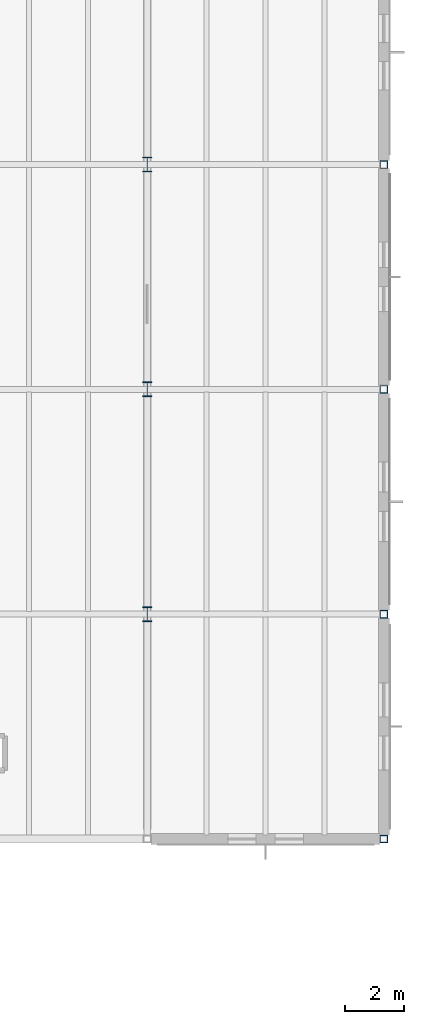
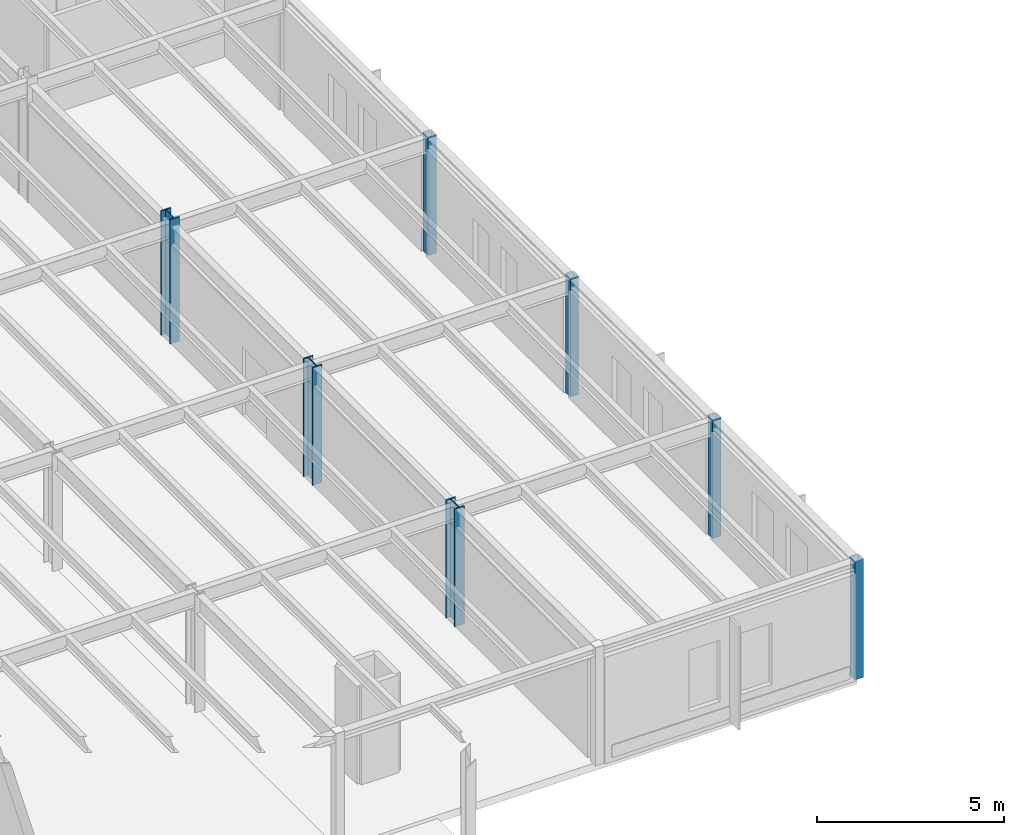
# One storey, part 22 of 189: 7 columns.
"""IFC4 building model written with IfcOpenShell, lengths in metres."""

from ifc_helpers import new_model, si_unit, direction, frame, origin, origin_2d, place, context, subcontext, project, spatial, hollow_rectangle, i_section, extrude, material, material_profile, profile_set, type_object, element, save


model = new_model("IFC4")

# Units and contexts
model_context = context("Model", 3, precision=1e-05, world=origin(), true_north=direction((0.0, 1.0)))
body_context = subcontext(model_context, "Body", "Model", "MODEL_VIEW")
ifc_project = project(units=[si_unit("LENGTHUNIT", "METRE"), si_unit("AREAUNIT", "SQUARE_METRE"), si_unit("VOLUMEUNIT", "CUBIC_METRE"), si_unit("PLANEANGLEUNIT", "RADIAN"), si_unit("MASSUNIT", "GRAM", prefix="KILO")], contexts=[model_context])

# Site, building, storey
site_placement = place(None, origin())
site = spatial("IfcSite", under=ifc_project, at=site_placement, CompositionType="ELEMENT")
building_placement = place(site_placement, origin())
building = spatial("IfcBuilding", under=site, at=building_placement, Name="Montecoro Central Library", CompositionType="ELEMENT")
storey_placement = place(building_placement, frame((0.0, 0.0, 9.179931640625)))
storey = spatial("IfcBuildingStorey", under=building, at=storey_placement, Name="L02", CompositionType="ELEMENT", Elevation=9.179931640625)

# Columns
ifc_material_1 = material(Name="Steel S355J2", Category="steel")
ifc_material_profile_1 = material_profile(ifc_material_1, i_section(OverallWidth=0.300048828125, OverallDepth=0.5, WebThickness=0.014404296875, FlangeThickness=0.028076171875, at=origin_2d()), Name="HEB 500")
ifc_profile_set_1 = profile_set([ifc_material_profile_1], Name="Steel S355J2")
column_type_1 = type_object("IfcColumnType", Name="COL-HEB500", PredefinedType="COLUMN", material=ifc_profile_set_1)
for number, where, z_axis, x_axis, name in (
    (1, (165.0, 81.0, 0.0), (0.0, 0.0, 1.0), (1.0, 0.0, 0.0), "V5-L02-COL-21-L"),
    (2, (165.0, 88.60009765625, 0.0), (0.0, 0.0, 1.0), (1.0, 0.0, 0.0), "V5-L02-COL-21-M"),
):
    element("IfcColumn", number, at=place(storey_placement, frame(where, z_axis=z_axis, x_axis=x_axis)), inside=storey, type_object=column_type_1, Name=name, PredefinedType="COLUMN", context=body_context, shape_type="SweptSolid", body=[
        extrude(i_section(OverallWidth=0.300048828125, OverallDepth=0.5, WebThickness=0.014404296875, FlangeThickness=0.028076171875, at=origin_2d()), origin(), (0.0, 0.0, 1.0), 3.85009765625),
    ])
column_placement = place(storey_placement, frame((165.0, 96.199951171875, 0.0), z_axis=(0.0, 0.0, 1.0), x_axis=(1.0, 0.0, 0.0)))
element("IfcColumn", 3, at=column_placement, inside=storey, type_object=column_type_1, Name="V5-L02-COL-21-N", PredefinedType="COLUMN", context=body_context, shape_type="SweptSolid", body=[
    extrude(i_section(OverallWidth=0.300048828125, OverallDepth=0.5, WebThickness=0.014404296875, FlangeThickness=0.028076171875, at=origin_2d()), origin(), (0.0, 0.0, 1.0), 4.05517578125),
])
ifc_material_2 = material(Name="Steel S355", Category="steel")
ifc_material_profile_2 = material_profile(ifc_material_2, hollow_rectangle(XDim=0.260009765625, YDim=0.260009765625, WallThickness=0.012451171875, at=origin_2d()), Name="SHS 260x260x12.5")
ifc_profile_set_2 = profile_set([ifc_material_profile_2], Name="Steel S355")
column_type_2 = type_object("IfcColumnType", Name="COL-SHS260", PredefinedType="COLUMN", material=ifc_profile_set_2)
for number, where, z_axis, x_axis, name in (
    (4, (173.0, 73.39990234375, 0.0), (0.0, 0.0, 1.0), (1.0, 0.0, 0.0), "V5-L02-COL-22-K"),
    (5, (173.0, 81.0, 0.0), (0.0, 0.0, 1.0), (1.0, 0.0, 0.0), "V5-L02-COL-22-L"),
    (6, (173.0, 88.60009765625, 0.0), (0.0, 0.0, 1.0), (1.0, 0.0, 0.0), "V5-L02-COL-22-M"),
    (7, (173.0, 96.199951171875, 0.0), (0.0, 0.0, 1.0), (1.0, 0.0, 0.0), "V5-L02-COL-22-N"),
):
    element("IfcColumn", number, at=place(storey_placement, frame(where, z_axis=z_axis, x_axis=x_axis)), inside=storey, type_object=column_type_2, Name=name, PredefinedType="COLUMN", context=body_context, shape_type="SweptSolid", body=[
        extrude(hollow_rectangle(XDim=0.260009765625, YDim=0.260009765625, WallThickness=0.012451171875, at=origin_2d()), origin(), (0.0, 0.0, 1.0), 3.85009765625),
    ])

save(model, "model.ifc")
